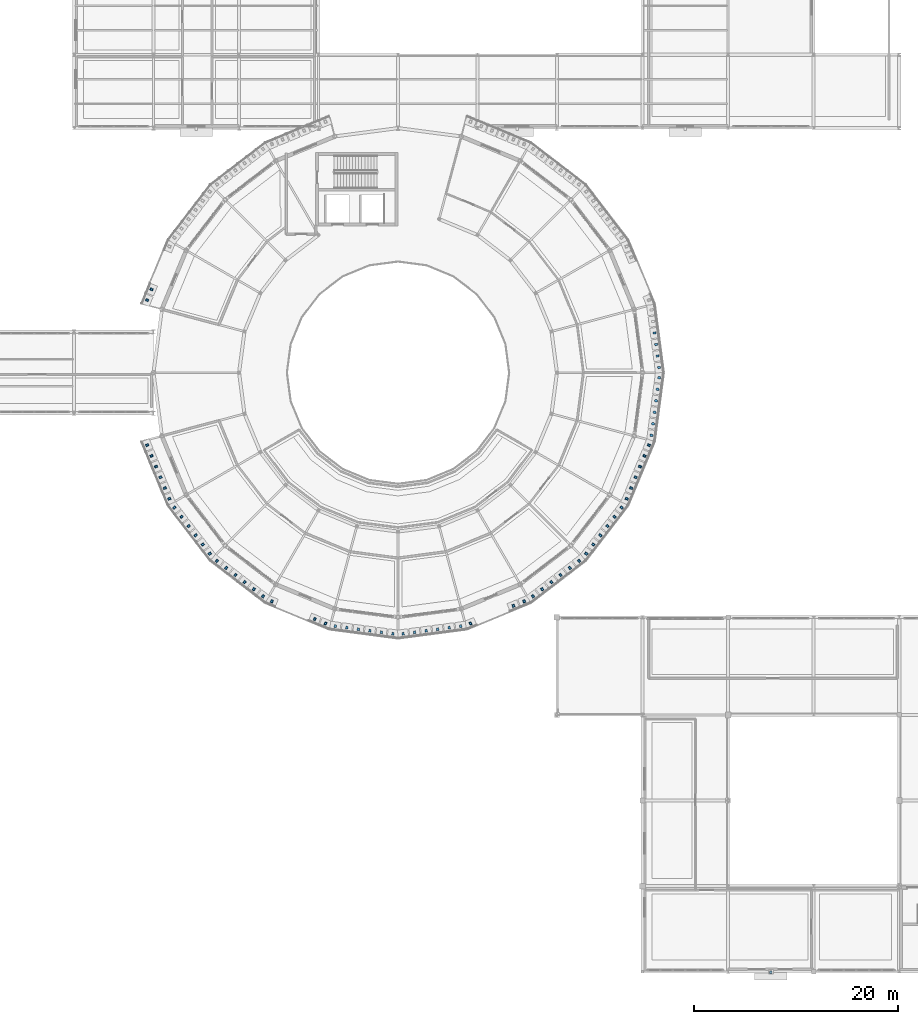
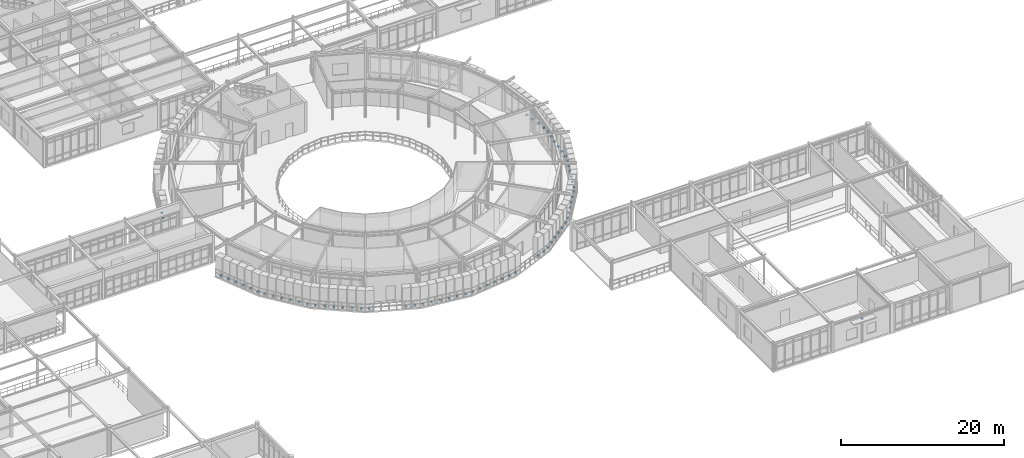
# One storey, part 94 of 106: 67 discrete accessories.
"""IFC4 building model written with IfcOpenShell, lengths in metres."""

from ifc_helpers import new_model, si_unit, derived_unit, direction, frame, origin, origin_2d, place, context, subcontext, project, spatial, rectangle, extrude, material, type_object, element, save


model = new_model("IFC4")

# Units and contexts
model_context = context("Model", 3, precision=1e-05, world=origin(), true_north=direction((0.0, 1.0)))
body_context = subcontext(model_context, "Body", "Model", "MODEL_VIEW")
ifc_project = project(units=[si_unit("LENGTHUNIT", "METRE"), si_unit("AREAUNIT", "SQUARE_METRE"), si_unit("VOLUMEUNIT", "CUBIC_METRE"), si_unit("PLANEANGLEUNIT", "RADIAN"), si_unit("MASSUNIT", "GRAM", prefix="KILO"), derived_unit("THERMALTRANSMITTANCEUNIT", [(si_unit("POWERUNIT", "WATT"), 1), (si_unit("AREAUNIT", "SQUARE_METRE"), -1), (si_unit("THERMODYNAMICTEMPERATUREUNIT", "KELVIN"), -1)])], contexts=[model_context])

# Site, building, storey
site_placement = place(None, origin())
site = spatial("IfcSite", under=ifc_project, at=site_placement, CompositionType="ELEMENT")
building_placement = place(site_placement, origin())
building = spatial("IfcBuilding", under=site, at=building_placement, Name="Yasenodar Specialist Clinic", CompositionType="ELEMENT")
storey_placement = place(building_placement, frame((0.0, 0.0, 4.5)))
storey = spatial("IfcBuildingStorey", under=building, at=storey_placement, Name="L01", CompositionType="ELEMENT", Elevation=4.5)

# Discrete accessories
ifc_material = material(Name="Steel S355", Category="steel")
discrete_accessory_type_1 = type_object("IfcDiscreteAccessoryType", Name="ACC-BRK-CHJ", PredefinedType="BRACKET", material=ifc_material)
discrete_accessory_placement = place(storey_placement, frame((117.60009765625, -0.050048828125, 3.43798828125), z_axis=(0.0, 0.0, 1.0), x_axis=(-1.0, 0.0, 0.0)))
element("IfcDiscreteAccessory", 1, at=discrete_accessory_placement, inside=storey, type_object=discrete_accessory_type_1, Name="L01 Sunshade Fixing Bracket 0448", PredefinedType="BRACKET", context=body_context, shape_type="SweptSolid", body=[
    extrude(rectangle(XDim=0.239990234375, YDim=0.260009765625, at=origin_2d()), origin(), (0.0, 0.0, 1.0), 0.199951171875),
])
discrete_accessory_type_2 = type_object("IfcDiscreteAccessoryType", Name="ACC-BRK-STEEL", PredefinedType="BRACKET", material=ifc_material)
for number, where, z_axis, x_axis, name in (
    (2, (106.6298828125, 59.2998046875, -0.02001953125), (0.0, 0.0, 1.0), (-0.130519185854, 0.991445783754, 0.0), "L01 Jali Shutter Base Guide Bracket 0001"),
    (3, (106.481201171875, 60.429931640625, -0.02001953125), (0.0, 0.0, 1.0), (-0.130519185854, 0.991445783754, 0.0), "L01 Jali Shutter Base Guide Bracket 0002"),
    (4, (106.332275390625, 61.560302734375, -0.02001953125), (0.0, 0.0, 1.0), (-0.130519185854, 0.991445783754, 0.0), "L01 Jali Shutter Base Guide Bracket 0003"),
    (5, (106.18359375, 62.6904296875, -0.02001953125), (0.0, 0.0, 1.0), (-0.130519185854, 0.991445783754, 0.0), "L01 Jali Shutter Base Guide Bracket 0004"),
    (6, (56.80908203125, 66.969482421875, -0.02001953125), (0.0, 0.0, 1.0), (-0.382686667195, -0.923878192594, 0.0), "L01 Jali Shutter Base Guide Bracket 0047"),
    (7, (56.372802734375, 65.916259765625, -0.02001953125), (0.0, 0.0, 1.0), (-0.382686667195, -0.923878192594, 0.0), "L01 Jali Shutter Base Guide Bracket 0048"),
    (8, (56.372802734375, 51.68359375, -0.02001953125), (0.0, 0.0, 1.0), (0.382686667195, -0.923878192594, 0.0), "L01 Jali Shutter Base Guide Bracket 0049"),
    (9, (56.80908203125, 50.630615234375, -0.02001953125), (0.0, 0.0, 1.0), (0.382686667195, -0.923878192594, 0.0), "L01 Jali Shutter Base Guide Bracket 0050"),
    (10, (57.2451171875, 49.577392578125, -0.02001953125), (0.0, 0.0, 1.0), (0.382686667195, -0.923878192594, 0.0), "L01 Jali Shutter Base Guide Bracket 0051"),
    (11, (57.681396484375, 48.524169921875, -0.02001953125), (0.0, 0.0, 1.0), (0.382686667195, -0.923878192594, 0.0), "L01 Jali Shutter Base Guide Bracket 0052"),
    (12, (58.11767578125, 47.47119140625, -0.02001953125), (0.0, 0.0, 1.0), (0.382686667195, -0.923878192594, 0.0), "L01 Jali Shutter Base Guide Bracket 0053"),
    (13, (58.553955078125, 46.41796875, -0.02001953125), (0.0, 0.0, 1.0), (0.382686667195, -0.923878192594, 0.0), "L01 Jali Shutter Base Guide Bracket 0054"),
    (14, (59.0537109375, 45.55224609375, -0.02001953125), (0.0, 0.0, 1.0), (0.608764217148, -0.793351200869, 0.0), "L01 Jali Shutter Base Guide Bracket 0055"),
    (15, (59.747802734375, 44.647705078125, -0.02001953125), (0.0, 0.0, 1.0), (0.608764217148, -0.793351200869, 0.0), "L01 Jali Shutter Base Guide Bracket 0056"),
    (16, (60.441650390625, 43.743408203125, -0.02001953125), (0.0, 0.0, 1.0), (0.608764217148, -0.793351200869, 0.0), "L01 Jali Shutter Base Guide Bracket 0057"),
    (17, (61.135498046875, 42.839111328125, -0.02001953125), (0.0, 0.0, 1.0), (0.608764217148, -0.793351200869, 0.0), "L01 Jali Shutter Base Guide Bracket 0058"),
    (18, (61.82958984375, 41.934814453125, -0.02001953125), (0.0, 0.0, 1.0), (0.608764217148, -0.793351200869, 0.0), "L01 Jali Shutter Base Guide Bracket 0059"),
    (19, (62.5234375, 41.030517578125, -0.02001953125), (0.0, 0.0, 1.0), (0.608764217148, -0.793351200869, 0.0), "L01 Jali Shutter Base Guide Bracket 0060"),
    (20, (63.23046875, 40.323486328125, -0.02001953125), (0.0, 0.0, 1.0), (0.793351200869, -0.608764217148, 0.0), "L01 Jali Shutter Base Guide Bracket 0061"),
    (21, (64.134765625, 39.629638671875, -0.02001953125), (0.0, 0.0, 1.0), (0.793351200869, -0.608764217148, 0.0), "L01 Jali Shutter Base Guide Bracket 0062"),
    (22, (65.0390625, 38.935546875, -0.02001953125), (0.0, 0.0, 1.0), (0.793351200869, -0.608764217148, 0.0), "L01 Jali Shutter Base Guide Bracket 0063"),
    (23, (65.943603515625, 38.24169921875, -0.02001953125), (0.0, 0.0, 1.0), (0.793351200869, -0.608764217148, 0.0), "L01 Jali Shutter Base Guide Bracket 0064"),
    (24, (66.847900390625, 37.547607421875, -0.02001953125), (0.0, 0.0, 1.0), (0.793351200869, -0.608764217148, 0.0), "L01 Jali Shutter Base Guide Bracket 0065"),
    (25, (67.752197265625, 36.853759765625, -0.02001953125), (0.0, 0.0, 1.0), (0.793351200869, -0.608764217148, 0.0), "L01 Jali Shutter Base Guide Bracket 0066"),
    (26, (68.617919921875, 36.35400390625, -0.02001953125), (0.0, 0.0, 1.0), (0.923878192594, -0.382686667195, 0.0), "L01 Jali Shutter Base Guide Bracket 0067"),
    (27, (72.83056640625, 34.60888671875, -0.02001953125), (0.0, 0.0, 1.0), (0.923878192594, -0.382686667195, 0.0), "L01 Jali Shutter Base Guide Bracket 0068"),
    (28, (73.8837890625, 34.1728515625, -0.02001953125), (0.0, 0.0, 1.0), (0.923878192594, -0.382686667195, 0.0), "L01 Jali Shutter Base Guide Bracket 0069"),
    (29, (74.849365234375, 33.9140625, -0.02001953125), (0.0, 0.0, 1.0), (0.991445783754, -0.130519185854, 0.0), "L01 Jali Shutter Base Guide Bracket 0070"),
    (30, (75.9794921875, 33.76513671875, -0.02001953125), (0.0, 0.0, 1.0), (0.991445783754, -0.130519185854, 0.0), "L01 Jali Shutter Base Guide Bracket 0071"),
    (31, (77.109619140625, 33.616455078125, -0.02001953125), (0.0, 0.0, 1.0), (0.991445783754, -0.130519185854, 0.0), "L01 Jali Shutter Base Guide Bracket 0072"),
    (32, (78.23974609375, 33.4677734375, -0.02001953125), (0.0, 0.0, 1.0), (0.991445783754, -0.130519185854, 0.0), "L01 Jali Shutter Base Guide Bracket 0073"),
    (33, (79.3701171875, 33.31884765625, -0.02001953125), (0.0, 0.0, 1.0), (0.991445783754, -0.130519185854, 0.0), "L01 Jali Shutter Base Guide Bracket 0074"),
    (34, (80.500244140625, 33.170166015625, -0.02001953125), (0.0, 0.0, 1.0), (0.991445783754, -0.130519185854, 0.0), "L01 Jali Shutter Base Guide Bracket 0075"),
    (35, (81.499755859375, 33.170166015625, -0.02001953125), (0.0, 0.0, 1.0), (0.991445783754, 0.130519185854, 0.0), "L01 Jali Shutter Base Guide Bracket 0076"),
    (36, (82.6298828125, 33.31884765625, -0.02001953125), (0.0, 0.0, 1.0), (0.991445783754, 0.130519185854, 0.0), "L01 Jali Shutter Base Guide Bracket 0077"),
    (37, (83.76025390625, 33.4677734375, -0.02001953125), (0.0, 0.0, 1.0), (0.991445783754, 0.130519185854, 0.0), "L01 Jali Shutter Base Guide Bracket 0078"),
    (38, (84.890380859375, 33.616455078125, -0.02001953125), (0.0, 0.0, 1.0), (0.991445783754, 0.130519185854, 0.0), "L01 Jali Shutter Base Guide Bracket 0079"),
    (39, (86.0205078125, 33.76513671875, -0.02001953125), (0.0, 0.0, 1.0), (0.991445783754, 0.130519185854, 0.0), "L01 Jali Shutter Base Guide Bracket 0080"),
    (40, (87.150634765625, 33.9140625, -0.02001953125), (0.0, 0.0, 1.0), (0.991445783754, 0.130519185854, 0.0), "L01 Jali Shutter Base Guide Bracket 0081"),
    (41, (88.1162109375, 34.1728515625, -0.02001953125), (0.0, 0.0, 1.0), (0.923878192594, 0.382686667195, 0.0), "L01 Jali Shutter Base Guide Bracket 0082"),
    (42, (92.328857421875, 35.917724609375, -0.02001953125), (0.0, 0.0, 1.0), (0.923878192594, 0.382686667195, 0.0), "L01 Jali Shutter Base Guide Bracket 0083"),
    (43, (93.382080078125, 36.35400390625, -0.02001953125), (0.0, 0.0, 1.0), (0.923878192594, 0.382686667195, 0.0), "L01 Jali Shutter Base Guide Bracket 0084"),
    (44, (94.247802734375, 36.853759765625, -0.02001953125), (0.0, 0.0, 1.0), (0.793351200869, 0.608764217148, 0.0), "L01 Jali Shutter Base Guide Bracket 0085"),
    (45, (95.152099609375, 37.547607421875, -0.02001953125), (0.0, 0.0, 1.0), (0.793351200869, 0.608764217148, 0.0), "L01 Jali Shutter Base Guide Bracket 0086"),
    (46, (96.056396484375, 38.24169921875, -0.02001953125), (0.0, 0.0, 1.0), (0.793351200869, 0.608764217148, 0.0), "L01 Jali Shutter Base Guide Bracket 0087"),
    (47, (96.9609375, 38.935546875, -0.02001953125), (0.0, 0.0, 1.0), (0.793351200869, 0.608764217148, 0.0), "L01 Jali Shutter Base Guide Bracket 0088"),
    (48, (97.865234375, 39.629638671875, -0.02001953125), (0.0, 0.0, 1.0), (0.793351200869, 0.608764217148, 0.0), "L01 Jali Shutter Base Guide Bracket 0089"),
    (49, (98.76953125, 40.323486328125, -0.02001953125), (0.0, 0.0, 1.0), (0.793351200869, 0.608764217148, 0.0), "L01 Jali Shutter Base Guide Bracket 0090"),
    (50, (99.4765625, 41.030517578125, -0.02001953125), (0.0, 0.0, 1.0), (0.608764217148, 0.793351200869, 0.0), "L01 Jali Shutter Base Guide Bracket 0091"),
    (51, (100.17041015625, 41.934814453125, -0.02001953125), (0.0, 0.0, 1.0), (0.608764217148, 0.793351200869, 0.0), "L01 Jali Shutter Base Guide Bracket 0092"),
    (52, (100.864501953125, 42.839111328125, -0.02001953125), (0.0, 0.0, 1.0), (0.608764217148, 0.793351200869, 0.0), "L01 Jali Shutter Base Guide Bracket 0093"),
    (53, (101.558349609375, 43.743408203125, -0.02001953125), (0.0, 0.0, 1.0), (0.608764217148, 0.793351200869, 0.0), "L01 Jali Shutter Base Guide Bracket 0094"),
    (54, (102.252197265625, 44.647705078125, -0.02001953125), (0.0, 0.0, 1.0), (0.608764217148, 0.793351200869, 0.0), "L01 Jali Shutter Base Guide Bracket 0095"),
    (55, (102.9462890625, 45.55224609375, -0.02001953125), (0.0, 0.0, 1.0), (0.608764217148, 0.793351200869, 0.0), "L01 Jali Shutter Base Guide Bracket 0096"),
    (56, (103.446044921875, 46.41796875, -0.02001953125), (0.0, 0.0, 1.0), (0.382686667195, 0.923878192594, 0.0), "L01 Jali Shutter Base Guide Bracket 0097"),
    (57, (103.88232421875, 47.47119140625, -0.02001953125), (0.0, 0.0, 1.0), (0.382686667195, 0.923878192594, 0.0), "L01 Jali Shutter Base Guide Bracket 0098"),
    (58, (104.318603515625, 48.524169921875, -0.02001953125), (0.0, 0.0, 1.0), (0.382686667195, 0.923878192594, 0.0), "L01 Jali Shutter Base Guide Bracket 0099"),
    (59, (104.7548828125, 49.577392578125, -0.02001953125), (0.0, 0.0, 1.0), (0.382686667195, 0.923878192594, 0.0), "L01 Jali Shutter Base Guide Bracket 0100"),
    (60, (105.19091796875, 50.630615234375, -0.02001953125), (0.0, 0.0, 1.0), (0.382686667195, 0.923878192594, 0.0), "L01 Jali Shutter Base Guide Bracket 0101"),
    (61, (105.627197265625, 51.68359375, -0.02001953125), (0.0, 0.0, 1.0), (0.382686667195, 0.923878192594, 0.0), "L01 Jali Shutter Base Guide Bracket 0102"),
    (62, (105.885986328125, 52.6494140625, -0.02001953125), (0.0, 0.0, 1.0), (0.130519185854, 0.991445783754, 0.0), "L01 Jali Shutter Base Guide Bracket 0103"),
    (63, (106.034912109375, 53.779296875, -0.02001953125), (0.0, 0.0, 1.0), (0.130519185854, 0.991445783754, 0.0), "L01 Jali Shutter Base Guide Bracket 0104"),
    (64, (106.18359375, 54.90966796875, -0.02001953125), (0.0, 0.0, 1.0), (0.130519185854, 0.991445783754, 0.0), "L01 Jali Shutter Base Guide Bracket 0105"),
    (65, (106.332275390625, 56.039794921875, -0.02001953125), (0.0, 0.0, 1.0), (0.130519185854, 0.991445783754, 0.0), "L01 Jali Shutter Base Guide Bracket 0106"),
    (66, (106.481201171875, 57.169921875, -0.02001953125), (0.0, 0.0, 1.0), (0.130519185854, 0.991445783754, 0.0), "L01 Jali Shutter Base Guide Bracket 0107"),
    (67, (106.6298828125, 58.30029296875, -0.02001953125), (0.0, 0.0, 1.0), (0.130519185854, 0.991445783754, 0.0), "L01 Jali Shutter Base Guide Bracket 0108"),
):
    element("IfcDiscreteAccessory", number, at=place(storey_placement, frame(where, z_axis=z_axis, x_axis=x_axis)), inside=storey, type_object=discrete_accessory_type_2, Name=name, PredefinedType="BRACKET", context=body_context, shape_type="SweptSolid", body=[
        extrude(rectangle(XDim=0.219970703125, YDim=0.280029296875, at=origin_2d()), origin(), (0.0, 0.0, 1.0), 0.159912109375),
    ])

save(model, "model.ifc")
